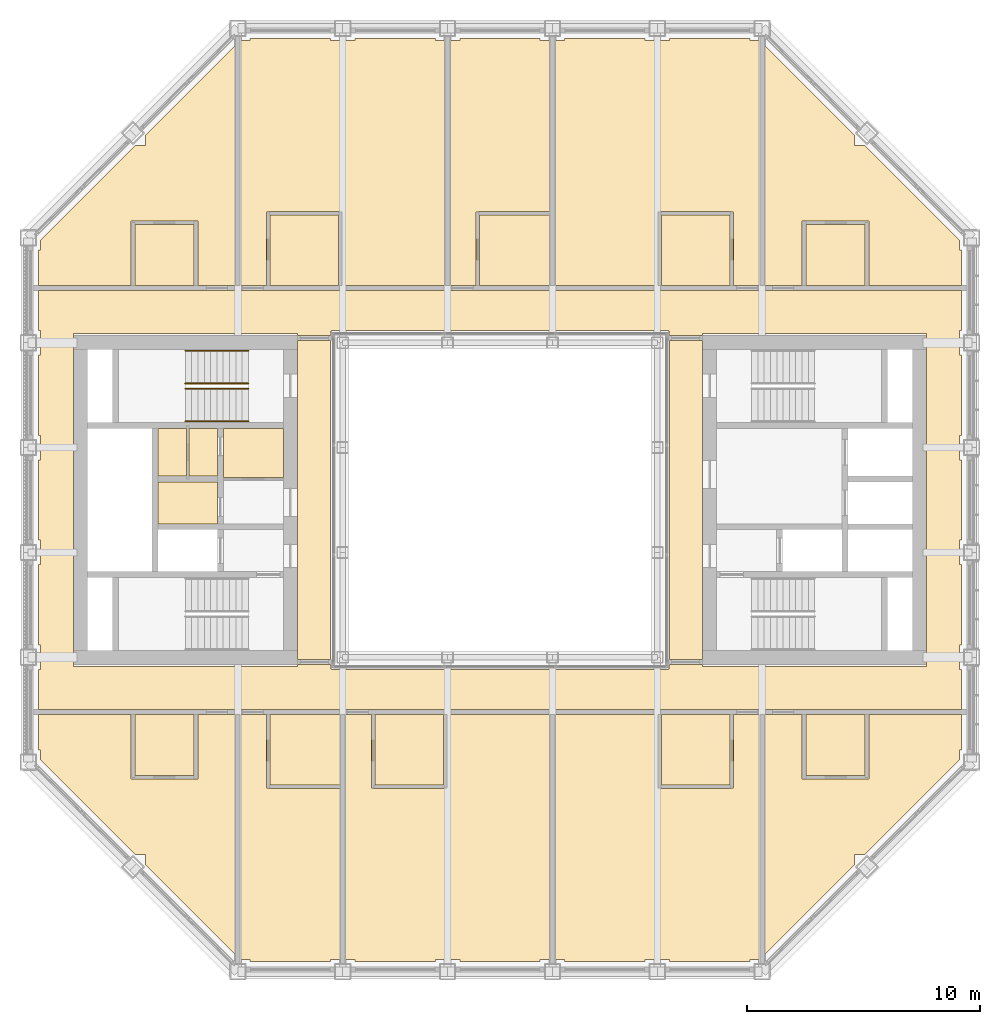
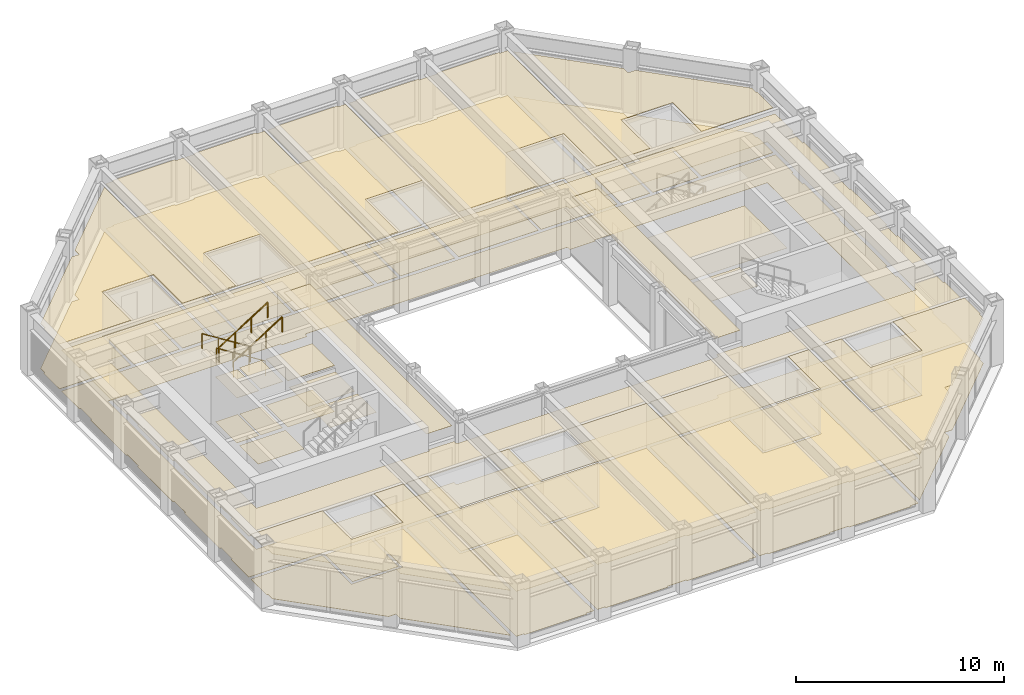
# One storey, part 15 of 16: 8 coverings, 4 railings.
"""IFC4 building model written with IfcOpenShell, lengths in metres."""

from ifc_helpers import new_model, si_unit, direction, frame, origin, origin_2d, place, context, subcontext, project, spatial, line, indexed_curve, circle, outline, extrude, material, layer, layer_set, type_object, element, save


model = new_model("IFC4")

# Units and contexts
model_context = context("Model", 3, precision=1e-05, world=origin(), true_north=direction((0.0, 1.0)))
body_context = subcontext(model_context, "Body", "Model", "MODEL_VIEW")
ifc_project = project(units=[si_unit("LENGTHUNIT", "METRE"), si_unit("AREAUNIT", "SQUARE_METRE"), si_unit("VOLUMEUNIT", "CUBIC_METRE"), si_unit("PLANEANGLEUNIT", "RADIAN"), si_unit("MASSUNIT", "GRAM", prefix="KILO")], contexts=[model_context])

# Site, building, storey
site_placement = place(None, origin())
site = spatial("IfcSite", under=ifc_project, at=site_placement, CompositionType="ELEMENT")
building_placement = place(site_placement, origin())
building = spatial("IfcBuilding", under=site, at=building_placement, Name="Msasa Ring Tower", CompositionType="ELEMENT")
storey_placement = place(building_placement, frame((0.0, 0.0, 215.800048828125)))
storey = spatial("IfcBuildingStorey", under=building, at=storey_placement, Name="L56", CompositionType="ELEMENT", Elevation=215.800048828125)

# Coverings
ifc_material_1 = material(Name="Gypsum plasterboard on a steel suspension grid", Category="steel")
ifc_layer_1 = layer(ifc_material_1, 0.014892578125)
ifc_layer_set_1 = layer_set([ifc_layer_1], Name="C1 SUSPENDED PLASTERBOARD CEILING 15")
covering_type_1 = type_object("IfcCoveringType", Name="C1 SUSPENDED PLASTERBOARD CEILING 15", PredefinedType="CEILING", material=ifc_layer_set_1)
covering_1_placement = place(storey_placement, frame((0.0, 0.0, 2.39990234375)))
element("IfcCovering", 1, at=covering_1_placement, inside=storey, type_object=covering_type_1, Name="Suspended Plasterboard Ceiling 15 circulation L56", PredefinedType="CEILING", context=body_context, shape_type="SweptSolid", body=[
    extrude(outline(indexed_curve([(19.799560546875, 7.275390625), (19.724609375, 7.275390625), (19.724609375, 6.224609375), (19.799560546875, 6.224609375), (19.799560546875, 2.775390625), (19.724609375, 2.775390625), (19.724609375, 1.724609375), (19.799560546875, 1.724609375), (19.799560546875, -1.724609375), (19.724609375, -1.724609375), (19.724609375, -2.775390625), (19.799560546875, -2.775390625), (19.799560546875, -6.224609375), (19.724609375, -6.224609375), (19.724609375, -7.275390625), (19.799560546875, -7.275390625), (19.799560546875, -8.99951171875), (-19.799560546875, -8.99951171875), (-19.799560546875, -7.275390625), (-19.724609375, -7.275390625), (-19.724609375, -6.224609375), (-19.799560546875, -6.224609375), (-19.799560546875, -2.775390625), (-19.724609375, -2.775390625), (-19.724609375, -1.724609375), (-19.799560546875, -1.724609375), (-19.799560546875, 1.724609375), (-19.724609375, 1.724609375), (-19.724609375, 2.775390625), (-19.799560546875, 2.775390625), (-19.799560546875, 6.224609375), (-19.724609375, 6.224609375), (-19.724609375, 7.275390625), (-19.799560546875, 7.275390625), (-19.799560546875, 8.99951171875), (19.799560546875, 8.99951171875)], segments=[line(1, 2, 3, 4, 5, 6, 7, 8, 9, 10, 11, 12, 13, 14, 15, 16, 17, 18, 19, 20, 21, 22, 23, 24, 25, 26, 27, 28, 29, 30, 31, 32, 33, 34, 35, 36, 1)], self_intersect=False), holes=[indexed_curve([(8.699462890625, -7.150390625), (18.300537109375, -7.150390625), (18.300537109375, 7.150390625), (8.699462890625, 7.150390625), (8.699462890625, 7.050537109375), (7.280029296875, 7.050537109375), (7.280517578125, 7.23046875), (7.22998046875, 7.23046875), (7.22998046875, 7.280029296875), (-7.22998046875, 7.280029296875), (-7.22998046875, 7.23046875), (-7.280517578125, 7.23046875), (-7.280029296875, 7.050537109375), (-8.699462890625, 7.050537109375), (-8.699462890625, 7.150390625), (-18.300537109375, 7.150390625), (-18.300537109375, -7.150390625), (-8.699462890625, -7.150390625), (-8.699462890625, -7.050537109375), (-7.280029296875, -7.050537109375), (-7.280517578125, -7.23046875), (-7.22998046875, -7.23046875), (-7.22998046875, -7.280029296875), (7.22998046875, -7.280029296875), (7.22998046875, -7.23046875), (7.280517578125, -7.23046875), (7.280029296875, -7.050537109375), (8.699462890625, -7.050537109375)], segments=[line(1, 2, 3, 4, 5, 6, 7, 8, 9, 10, 11, 12, 13, 14, 15, 16, 17, 18, 19, 20, 21, 22, 23, 24, 25, 26, 27, 28, 1)], self_intersect=False)]), origin(), (0.0, 0.0, 1.0), 0.01513671875),
    extrude(outline(indexed_curve([(-9.300537109375, -3.074462890625), (-11.87451171875, -3.074462890625), (-11.87451171875, -1.275390625), (-9.300537109375, -1.275390625)], segments=[line(1, 2, 3, 4, 1)], self_intersect=False)), origin(), (0.0, 0.0, 1.0), 0.01513671875),
    extrude(outline(indexed_curve([(-9.300537109375, -1.0244140625), (-11.87451171875, -1.0244140625), (-11.87451171875, 0.844482421875), (-9.300537109375, 0.844482421875)], segments=[line(1, 2, 3, 4, 1)], self_intersect=False)), origin(), (0.0, 0.0, 1.0), 0.01513671875),
    extrude(outline(indexed_curve([(11.87451171875, -3.074462890625), (9.300537109375, -3.074462890625), (9.300537109375, -1.275390625), (11.87451171875, -1.275390625)], segments=[line(1, 2, 3, 4, 1)], self_intersect=False)), origin(), (0.0, 0.0, 1.0), 0.01513671875),
    extrude(outline(indexed_curve([(9.300537109375, -1.0244140625), (9.300537109375, 3.074462890625), (14.674560546875, 3.074462890625), (14.674560546875, -1.0244140625)], segments=[line(1, 2, 3, 4, 1)], self_intersect=False)), origin(), (0.0, 0.0, 1.0), 0.01513671875),
])
covering_2_placement = place(storey_placement, frame((0.0, 0.0, 3.199951171875)))
element("IfcCovering", 2, at=covering_2_placement, inside=storey, type_object=covering_type_1, Name="Suspended Plasterboard Ceiling 15 public rooms L56", PredefinedType="CEILING", context=body_context, shape_type="SweptSolid", body=[
    extrude(outline(indexed_curve([(-7.280029296875, 6.849609375), (-7.280029296875, -6.849609375), (-8.699462890625, -6.849609375), (-8.699462890625, 6.849609375)], segments=[line(1, 2, 3, 4, 1)], self_intersect=False)), origin(), (0.0, 0.0, 1.0), 0.014892578125),
    extrude(outline(indexed_curve([(8.699462890625, 6.849609375), (8.699462890625, -6.849609375), (7.280029296875, -6.849609375), (7.280029296875, 6.849609375)], segments=[line(1, 2, 3, 4, 1)], self_intersect=False)), origin(), (0.0, 0.0, 1.0), 0.014892578125),
])
covering_3_placement = place(storey_placement, frame((0.0, 0.0, 2.634033203125)))
element("IfcCovering", 3, at=covering_3_placement, inside=storey, type_object=covering_type_1, Name="Suspended Plasterboard Ceiling 15 L56", PredefinedType="CEILING", context=body_context, shape_type="SweptSolid", body=[
    extrude(outline(indexed_curve([(-15.83056640625, -11.98046875), (-12.969482421875, -11.98046875), (-12.969482421875, -9.200439453125), (-11.3505859375, -9.200439453125), (-11.3505859375, -19.512451171875), (-15.224609375, -15.638427734375), (-15.224609375, -15.224609375), (-15.638427734375, -15.224609375), (-19.724609375, -11.138427734375), (-19.724609375, -10.724609375), (-19.799560546875, -10.724609375), (-19.799560546875, -9.200439453125), (-15.83056640625, -9.200439453125)], segments=[line(1, 2, 3, 4, 5, 6, 7, 8, 9, 10, 11, 12, 13, 1)], self_intersect=False)), origin(), (0.0, 0.0, 1.0), 0.014892578125),
    extrude(outline(indexed_curve([(-19.799560546875, 9.200439453125), (-19.799560546875, 10.724609375), (-19.724609375, 10.724609375), (-19.724609375, 11.138427734375), (-15.638427734375, 15.224609375), (-15.224609375, 15.224609375), (-15.224609375, 15.638427734375), (-11.3505859375, 19.512451171875), (-11.3505859375, 9.200439453125), (-12.969482421875, 9.200439453125), (-12.969482421875, 11.98046875), (-15.83056640625, 11.98046875), (-15.83056640625, 9.200439453125)], segments=[line(1, 2, 3, 4, 5, 6, 7, 8, 9, 10, 11, 12, 13, 1)], self_intersect=False)), origin(), (0.0, 0.0, 1.0), 0.014892578125),
    extrude(outline(indexed_curve([(-14.674560546875, 3.074462890625), (-13.45556640625, 3.074462890625), (-13.45556640625, 1.025390625), (-14.674560546875, 1.025390625)], segments=[line(1, 2, 3, 4, 1)], self_intersect=False)), origin(), (0.0, 0.0, 1.0), 0.014892578125),
    extrude(outline(indexed_curve([(-6.8505859375, -19.724609375), (-7.275390625, -19.724609375), (-7.275390625, -19.799560546875), (-10.724609375, -19.799560546875), (-10.724609375, -19.724609375), (-11.138427734375, -19.724609375), (-11.1494140625, -19.71337890625), (-11.1494140625, -9.200439453125), (-10.00048828125, -9.200439453125), (-10.00048828125, -12.3505859375), (-6.8505859375, -12.3505859375)], segments=[line(1, 2, 3, 4, 5, 6, 7, 8, 9, 10, 11, 1)], self_intersect=False)), origin(), (0.0, 0.0, 1.0), 0.014892578125),
    extrude(outline(indexed_curve([(-6.799560546875, 9.200439453125), (-6.799560546875, 12.3505859375), (-10.00048828125, 12.3505859375), (-10.00048828125, 9.200439453125), (-11.1494140625, 9.200439453125), (-11.1494140625, 19.71337890625), (-11.138427734375, 19.724609375), (-10.724609375, 19.724609375), (-10.724609375, 19.799560546875), (-7.275390625, 19.799560546875), (-7.275390625, 19.724609375), (-6.224609375, 19.724609375), (-6.224609375, 19.799560546875), (-2.775390625, 19.799560546875), (-2.775390625, 19.724609375), (-2.3505859375, 19.724609375), (-2.3505859375, 9.200439453125)], segments=[line(1, 2, 3, 4, 5, 6, 7, 8, 9, 10, 11, 12, 13, 14, 15, 16, 17, 1)], self_intersect=False)), origin(), (0.0, 0.0, 1.0), 0.014892578125),
    extrude(outline(indexed_curve([(-5.50048828125, -12.3505859375), (-2.299560546875, -12.3505859375), (-2.299560546875, -9.200439453125), (2.1494140625, -9.200439453125), (2.1494140625, -19.724609375), (1.724609375, -19.724609375), (1.724609375, -19.799560546875), (-1.724609375, -19.799560546875), (-1.724609375, -19.724609375), (-2.775390625, -19.724609375), (-2.775390625, -19.799560546875), (-6.224609375, -19.799560546875), (-6.224609375, -19.724609375), (-6.6494140625, -19.724609375), (-6.6494140625, -9.200439453125), (-5.50048828125, -9.200439453125)], segments=[line(1, 2, 3, 4, 5, 6, 7, 8, 9, 10, 11, 12, 13, 14, 15, 16, 1)], self_intersect=False)), origin(), (0.0, 0.0, 1.0), 0.014892578125),
    extrude(outline(indexed_curve([(-2.1494140625, 9.200439453125), (-2.1494140625, 19.724609375), (-1.724609375, 19.724609375), (-1.724609375, 19.799560546875), (1.724609375, 19.799560546875), (1.724609375, 19.724609375), (2.1494140625, 19.724609375), (2.1494140625, 12.3505859375), (-1.00048828125, 12.3505859375), (-1.00048828125, 9.200439453125)], segments=[line(1, 2, 3, 4, 5, 6, 7, 8, 9, 10, 1)], self_intersect=False)), origin(), (0.0, 0.0, 1.0), 0.014892578125),
    extrude(outline(indexed_curve([(6.799560546875, -12.3505859375), (10.00048828125, -12.3505859375), (10.00048828125, -9.200439453125), (11.1494140625, -9.200439453125), (11.1494140625, -19.71337890625), (11.138427734375, -19.724609375), (10.724609375, -19.724609375), (10.724609375, -19.799560546875), (7.275390625, -19.799560546875), (7.275390625, -19.724609375), (6.224609375, -19.724609375), (6.224609375, -19.799560546875), (2.775390625, -19.799560546875), (2.775390625, -19.724609375), (2.3505859375, -19.724609375), (2.3505859375, -9.200439453125), (6.799560546875, -9.200439453125)], segments=[line(1, 2, 3, 4, 5, 6, 7, 8, 9, 10, 11, 12, 13, 14, 15, 16, 17, 1)], self_intersect=False)), origin(), (0.0, 0.0, 1.0), 0.014892578125),
    extrude(outline(indexed_curve([(10.00048828125, 12.3505859375), (6.799560546875, 12.3505859375), (6.799560546875, 9.200439453125), (2.3505859375, 9.200439453125), (2.3505859375, 19.724609375), (2.775390625, 19.724609375), (2.775390625, 19.799560546875), (6.224609375, 19.799560546875), (6.224609375, 19.724609375), (7.275390625, 19.724609375), (7.275390625, 19.799560546875), (10.724609375, 19.799560546875), (10.724609375, 19.724609375), (11.138427734375, 19.724609375), (11.1494140625, 19.71337890625), (11.1494140625, 9.200439453125), (10.00048828125, 9.200439453125)], segments=[line(1, 2, 3, 4, 5, 6, 7, 8, 9, 10, 11, 12, 13, 14, 15, 16, 17, 1)], self_intersect=False)), origin(), (0.0, 0.0, 1.0), 0.014892578125),
    extrude(outline(indexed_curve([(19.799560546875, -9.200439453125), (19.799560546875, -10.724609375), (19.724609375, -10.724609375), (19.724609375, -11.138427734375), (15.638427734375, -15.224609375), (15.224609375, -15.224609375), (15.224609375, -15.638427734375), (11.3505859375, -19.512451171875), (11.3505859375, -9.200439453125), (12.969482421875, -9.200439453125), (12.969482421875, -11.98046875), (15.83056640625, -11.98046875), (15.83056640625, -9.200439453125)], segments=[line(1, 2, 3, 4, 5, 6, 7, 8, 9, 10, 11, 12, 13, 1)], self_intersect=False)), origin(), (0.0, 0.0, 1.0), 0.014892578125),
    extrude(outline(indexed_curve([(15.83056640625, 11.98046875), (12.969482421875, 11.98046875), (12.969482421875, 9.200439453125), (11.3505859375, 9.200439453125), (11.3505859375, 19.512451171875), (15.224609375, 15.638427734375), (15.224609375, 15.224609375), (15.638427734375, 15.224609375), (19.724609375, 11.138427734375), (19.724609375, 10.724609375), (19.799560546875, 10.724609375), (19.799560546875, 9.200439453125), (15.83056640625, 9.200439453125)], segments=[line(1, 2, 3, 4, 5, 6, 7, 8, 9, 10, 11, 12, 13, 1)], self_intersect=False)), origin(), (0.0, 0.0, 1.0), 0.014892578125),
])
ifc_material_2 = material(Name="Mineral fibre ceiling tiles on an exposed steel grid", Category="steel")
ifc_layer_2 = layer(ifc_material_2, 0.02001953125)
ifc_layer_set_2 = layer_set([ifc_layer_2], Name="C3 ACOUSTIC MINERAL FIBRE TILE CEILING 20")
covering_type_2 = type_object("IfcCoveringType", Name="C3 ACOUSTIC MINERAL FIBRE TILE CEILING 20", PredefinedType="CEILING", material=ifc_layer_set_2)
covering_4_placement = place(storey_placement, frame((0.0, 0.0, 2.699951171875)))
element("IfcCovering", 4, at=covering_4_placement, inside=storey, type_object=covering_type_2, Name="Acoustic Mineral Fibre Tile Ceiling 20 L56", PredefinedType="CEILING", context=body_context, shape_type="SweptSolid", body=[
    extrude(outline(indexed_curve([(-12.12548828125, 3.074462890625), (-12.12548828125, 1.025390625), (-13.344482421875, 1.025390625), (-13.344482421875, 3.074462890625)], segments=[line(1, 2, 3, 4, 1)], self_intersect=False)), origin(), (0.0, 0.0, 1.0), 0.02001953125),
    extrude(outline(indexed_curve([(-9.300537109375, 3.074462890625), (-9.300537109375, 0.95556640625), (-11.87451171875, 0.95556640625), (-11.87451171875, 3.074462890625)], segments=[line(1, 2, 3, 4, 1)], self_intersect=False)), origin(), (0.0, 0.0, 1.0), 0.02001953125),
])
ifc_material_3 = material(Name="Wool-blend carpet on felt underlay", Category="textile")
ifc_layer_3 = layer(ifc_material_3, 0.011962890625)
ifc_layer_set_3 = layer_set([ifc_layer_3], Name="F2 CARPET ON UNDERLAY 12")
covering_type_3 = type_object("IfcCoveringType", Name="F2 CARPET ON UNDERLAY 12", PredefinedType="FLOORING", material=ifc_layer_set_3)
covering_5_placement = place(storey_placement, origin())
element("IfcCovering", 5, at=covering_5_placement, inside=storey, type_object=covering_type_3, Name="Carpet On Underlay 12 L56", PredefinedType="FLOORING", context=body_context, shape_type="SweptSolid", body=[
    extrude(outline(indexed_curve([(19.799560546875, 7.275390625), (19.724609375, 7.275390625), (19.724609375, 6.224609375), (19.799560546875, 6.224609375), (19.799560546875, 2.775390625), (19.724609375, 2.775390625), (19.724609375, 1.724609375), (19.799560546875, 1.724609375), (19.799560546875, -1.724609375), (19.724609375, -1.724609375), (19.724609375, -2.775390625), (19.799560546875, -2.775390625), (19.799560546875, -6.224609375), (19.724609375, -6.224609375), (19.724609375, -7.275390625), (19.799560546875, -7.275390625), (19.799560546875, -8.99951171875), (-19.799560546875, -8.99951171875), (-19.799560546875, -7.275390625), (-19.724609375, -7.275390625), (-19.724609375, -6.224609375), (-19.799560546875, -6.224609375), (-19.799560546875, -2.775390625), (-19.724609375, -2.775390625), (-19.724609375, -1.724609375), (-19.799560546875, -1.724609375), (-19.799560546875, 1.724609375), (-19.724609375, 1.724609375), (-19.724609375, 2.775390625), (-19.799560546875, 2.775390625), (-19.799560546875, 6.224609375), (-19.724609375, 6.224609375), (-19.724609375, 7.275390625), (-19.799560546875, 7.275390625), (-19.799560546875, 8.99951171875), (19.799560546875, 8.99951171875)], segments=[line(1, 2, 3, 4, 5, 6, 7, 8, 9, 10, 11, 12, 13, 14, 15, 16, 17, 18, 19, 20, 21, 22, 23, 24, 25, 26, 27, 28, 29, 30, 31, 32, 33, 34, 35, 36, 1)], self_intersect=False), holes=[indexed_curve([(8.699462890625, -7.150390625), (18.300537109375, -7.150390625), (18.300537109375, 7.150390625), (8.699462890625, 7.150390625), (8.699462890625, 7.050537109375), (7.280029296875, 7.050537109375), (7.280517578125, 7.23046875), (7.22998046875, 7.23046875), (7.22998046875, 7.280029296875), (-7.22998046875, 7.280029296875), (-7.22998046875, 7.23046875), (-7.280517578125, 7.23046875), (-7.280029296875, 7.050537109375), (-8.699462890625, 7.050537109375), (-8.699462890625, 7.150390625), (-18.300537109375, 7.150390625), (-18.300537109375, -7.150390625), (-8.699462890625, -7.150390625), (-8.699462890625, -7.050537109375), (-7.280029296875, -7.050537109375), (-7.280517578125, -7.23046875), (-7.22998046875, -7.23046875), (-7.22998046875, -7.280029296875), (7.22998046875, -7.280029296875), (7.22998046875, -7.23046875), (7.280517578125, -7.23046875), (7.280029296875, -7.050537109375), (8.699462890625, -7.050537109375)], segments=[line(1, 2, 3, 4, 5, 6, 7, 8, 9, 10, 11, 12, 13, 14, 15, 16, 17, 18, 19, 20, 21, 22, 23, 24, 25, 26, 27, 28, 1)], self_intersect=False)]), origin(), (0.0, 0.0, 1.0), 0.011962890625),
    extrude(outline(indexed_curve([(-14.674560546875, 3.074462890625), (-13.45556640625, 3.074462890625), (-13.45556640625, 1.025390625), (-14.674560546875, 1.025390625)], segments=[line(1, 2, 3, 4, 1)], self_intersect=False)), origin(), (0.0, 0.0, 1.0), 0.011962890625),
    extrude(outline(indexed_curve([(-10.724609375, -19.799560546875), (-10.724609375, -19.724609375), (-11.138427734375, -19.724609375), (-11.1494140625, -19.71337890625), (-11.1494140625, -9.200439453125), (-10.025390625, -9.200439453125), (-10.025390625, -12.35009765625), (-9.89990234375, -12.3505859375), (-9.89990234375, -12.37548828125), (-6.8505859375, -12.37548828125), (-6.8505859375, -19.724609375), (-7.275390625, -19.724609375), (-7.275390625, -19.799560546875)], segments=[line(1, 2, 3, 4, 5, 6, 7, 8, 9, 10, 11, 12, 13, 1)], self_intersect=False)), origin(), (0.0, 0.0, 1.0), 0.011962890625),
    extrude(outline(indexed_curve([(-0.89990234375, 12.3505859375), (-1.025390625, 12.35009765625), (-1.025390625, 9.200439453125), (-2.1494140625, 9.200439453125), (-2.1494140625, 19.724609375), (-1.724609375, 19.724609375), (-1.724609375, 19.799560546875), (1.724609375, 19.799560546875), (1.724609375, 19.724609375), (2.1494140625, 19.724609375), (2.1494140625, 12.37548828125), (-0.89990234375, 12.37548828125)], segments=[line(1, 2, 3, 4, 5, 6, 7, 8, 9, 10, 11, 12, 1)], self_intersect=False)), origin(), (0.0, 0.0, 1.0), 0.011962890625),
])
ifc_material_4 = material(Name="Engineered oak boards on an acoustic underlay", Category="wood")
ifc_layer_4 = layer(ifc_material_4, 0.01806640625)
ifc_layer_set_4 = layer_set([ifc_layer_4], Name="F3 ENGINEERED TIMBER ON ACOUSTIC UNDERLAY 18")
covering_type_4 = type_object("IfcCoveringType", Name="F3 ENGINEERED TIMBER ON ACOUSTIC UNDERLAY 18", PredefinedType="FLOORING", material=ifc_layer_set_4)
covering_6_placement = place(storey_placement, origin())
element("IfcCovering", 6, at=covering_6_placement, inside=storey, type_object=covering_type_4, Name="Engineered Timber On Acoustic Underlay 18 L56", PredefinedType="FLOORING", context=body_context, shape_type="SweptSolid", body=[
    extrude(outline(indexed_curve([(-12.969482421875, -11.98046875), (-12.969482421875, -9.200439453125), (-11.3505859375, -9.200439453125), (-11.3505859375, -19.512451171875), (-15.224609375, -15.638427734375), (-15.224609375, -15.224609375), (-15.638427734375, -15.224609375), (-19.724609375, -11.138427734375), (-19.724609375, -10.724609375), (-19.799560546875, -10.724609375), (-19.799560546875, -9.200439453125), (-15.83056640625, -9.200439453125), (-15.83056640625, -11.98046875)], segments=[line(1, 2, 3, 4, 5, 6, 7, 8, 9, 10, 11, 12, 13, 1)], self_intersect=False)), origin(), (0.0, 0.0, 1.0), 0.01806640625),
    extrude(outline(indexed_curve([(-19.799560546875, 9.200439453125), (-19.799560546875, 10.724609375), (-19.724609375, 10.724609375), (-19.724609375, 11.138427734375), (-15.638427734375, 15.224609375), (-15.224609375, 15.224609375), (-15.224609375, 15.638427734375), (-11.3505859375, 19.512451171875), (-11.3505859375, 9.200439453125), (-12.969482421875, 9.200439453125), (-12.969482421875, 11.98046875), (-15.83056640625, 11.98046875), (-15.83056640625, 9.200439453125)], segments=[line(1, 2, 3, 4, 5, 6, 7, 8, 9, 10, 11, 12, 13, 1)], self_intersect=False)), origin(), (0.0, 0.0, 1.0), 0.01806640625),
    extrude(outline(indexed_curve([(-6.7744140625, 12.35009765625), (-6.89990234375, 12.3505859375), (-6.89990234375, 12.37548828125), (-9.89990234375, 12.37548828125), (-9.89990234375, 12.3505859375), (-10.025390625, 12.35009765625), (-10.025390625, 9.200439453125), (-11.1494140625, 9.200439453125), (-11.1494140625, 19.71337890625), (-11.138427734375, 19.724609375), (-10.724609375, 19.724609375), (-10.724609375, 19.799560546875), (-7.275390625, 19.799560546875), (-7.275390625, 19.724609375), (-6.224609375, 19.724609375), (-6.224609375, 19.799560546875), (-2.775390625, 19.799560546875), (-2.775390625, 19.724609375), (-2.3505859375, 19.724609375), (-2.3505859375, 9.200439453125), (-6.7744140625, 9.200439453125)], segments=[line(1, 2, 3, 4, 5, 6, 7, 8, 9, 10, 11, 12, 13, 14, 15, 16, 17, 18, 19, 20, 21, 1)], self_intersect=False)), origin(), (0.0, 0.0, 1.0), 0.01806640625),
    extrude(outline(indexed_curve([(-5.39990234375, -12.3505859375), (-5.39990234375, -12.37548828125), (-2.39990234375, -12.37548828125), (-2.39990234375, -12.3505859375), (-2.2744140625, -12.35009765625), (-2.2744140625, -9.200439453125), (2.1494140625, -9.200439453125), (2.1494140625, -19.724609375), (1.724609375, -19.724609375), (1.724609375, -19.799560546875), (-1.724609375, -19.799560546875), (-1.724609375, -19.724609375), (-2.775390625, -19.724609375), (-2.775390625, -19.799560546875), (-6.224609375, -19.799560546875), (-6.224609375, -19.724609375), (-6.6494140625, -19.724609375), (-6.6494140625, -9.200439453125), (-5.525390625, -9.200439453125), (-5.525390625, -12.35009765625)], segments=[line(1, 2, 3, 4, 5, 6, 7, 8, 9, 10, 11, 12, 13, 14, 15, 16, 17, 18, 19, 20, 1)], self_intersect=False)), origin(), (0.0, 0.0, 1.0), 0.01806640625),
    extrude(outline(indexed_curve([(6.7744140625, -12.35009765625), (6.89990234375, -12.3505859375), (6.89990234375, -12.37548828125), (9.89990234375, -12.37548828125), (9.89990234375, -12.3505859375), (10.025390625, -12.35009765625), (10.025390625, -9.200439453125), (11.1494140625, -9.200439453125), (11.1494140625, -19.71337890625), (11.138427734375, -19.724609375), (10.724609375, -19.724609375), (10.724609375, -19.799560546875), (7.275390625, -19.799560546875), (7.275390625, -19.724609375), (6.224609375, -19.724609375), (6.224609375, -19.799560546875), (2.775390625, -19.799560546875), (2.775390625, -19.724609375), (2.3505859375, -19.724609375), (2.3505859375, -9.200439453125), (6.7744140625, -9.200439453125)], segments=[line(1, 2, 3, 4, 5, 6, 7, 8, 9, 10, 11, 12, 13, 14, 15, 16, 17, 18, 19, 20, 21, 1)], self_intersect=False)), origin(), (0.0, 0.0, 1.0), 0.01806640625),
    extrude(outline(indexed_curve([(10.025390625, 12.35009765625), (9.89990234375, 12.3505859375), (9.89990234375, 12.37548828125), (6.89990234375, 12.37548828125), (6.89990234375, 12.3505859375), (6.7744140625, 12.35009765625), (6.7744140625, 9.200439453125), (2.3505859375, 9.200439453125), (2.3505859375, 19.724609375), (2.775390625, 19.724609375), (2.775390625, 19.799560546875), (6.224609375, 19.799560546875), (6.224609375, 19.724609375), (7.275390625, 19.724609375), (7.275390625, 19.799560546875), (10.724609375, 19.799560546875), (10.724609375, 19.724609375), (11.138427734375, 19.724609375), (11.1494140625, 19.71337890625), (11.1494140625, 9.200439453125), (10.025390625, 9.200439453125)], segments=[line(1, 2, 3, 4, 5, 6, 7, 8, 9, 10, 11, 12, 13, 14, 15, 16, 17, 18, 19, 20, 21, 1)], self_intersect=False)), origin(), (0.0, 0.0, 1.0), 0.01806640625),
    extrude(outline(indexed_curve([(19.799560546875, -9.200439453125), (19.799560546875, -10.724609375), (19.724609375, -10.724609375), (19.724609375, -11.138427734375), (15.638427734375, -15.224609375), (15.224609375, -15.224609375), (15.224609375, -15.638427734375), (11.3505859375, -19.512451171875), (11.3505859375, -9.200439453125), (12.969482421875, -9.200439453125), (12.969482421875, -11.98046875), (15.83056640625, -11.98046875), (15.83056640625, -9.200439453125)], segments=[line(1, 2, 3, 4, 5, 6, 7, 8, 9, 10, 11, 12, 13, 1)], self_intersect=False)), origin(), (0.0, 0.0, 1.0), 0.01806640625),
    extrude(outline(indexed_curve([(12.969482421875, 11.98046875), (12.969482421875, 9.200439453125), (11.3505859375, 9.200439453125), (11.3505859375, 19.512451171875), (15.224609375, 15.638427734375), (15.224609375, 15.224609375), (15.638427734375, 15.224609375), (19.724609375, 11.138427734375), (19.724609375, 10.724609375), (19.799560546875, 10.724609375), (19.799560546875, 9.200439453125), (15.83056640625, 9.200439453125), (15.83056640625, 11.98046875)], segments=[line(1, 2, 3, 4, 5, 6, 7, 8, 9, 10, 11, 12, 13, 1)], self_intersect=False)), origin(), (0.0, 0.0, 1.0), 0.01806640625),
])
ifc_material_5 = material(Name="Porcelain floor tiles in adhesive", Category="ceramic")
ifc_layer_5 = layer(ifc_material_5, 0.010009765625)
ifc_layer_set_5 = layer_set([ifc_layer_5], Name="F4 PORCELAIN TILE ON ADHESIVE 10")
covering_type_5 = type_object("IfcCoveringType", Name="F4 PORCELAIN TILE ON ADHESIVE 10", PredefinedType="FLOORING", material=ifc_layer_set_5)
covering_7_placement = place(storey_placement, origin())
element("IfcCovering", 7, at=covering_7_placement, inside=storey, type_object=covering_type_5, Name="Porcelain Tile On Adhesive 10 L56", PredefinedType="FLOORING", context=body_context, shape_type="SweptSolid", body=[
    extrude(outline(indexed_curve([(-15.66943359375, -9.200439453125), (-13.130615234375, -9.200439453125), (-13.130615234375, -11.819580078125), (-15.66943359375, -11.819580078125)], segments=[line(1, 2, 3, 4, 1)], self_intersect=False)), origin(), (0.0, 0.0, 1.0), 0.010009765625),
    extrude(outline(indexed_curve([(-13.130615234375, 11.819580078125), (-13.130615234375, 9.200439453125), (-15.66943359375, 9.200439453125), (-15.66943359375, 11.819580078125)], segments=[line(1, 2, 3, 4, 1)], self_intersect=False)), origin(), (0.0, 0.0, 1.0), 0.010009765625),
    extrude(outline(indexed_curve([(-12.12548828125, -1.0244140625), (-14.674560546875, -1.0244140625), (-14.674560546875, 0.7744140625), (-12.12548828125, 0.7744140625)], segments=[line(1, 2, 3, 4, 1)], self_intersect=False)), origin(), (0.0, 0.0, 1.0), 0.010009765625),
    extrude(outline(indexed_curve([(-6.8505859375, -9.200439453125), (-6.8505859375, -12.224609375), (-9.87451171875, -12.224609375), (-9.87451171875, -9.200439453125)], segments=[line(1, 2, 3, 4, 1)], self_intersect=False)), origin(), (0.0, 0.0, 1.0), 0.010009765625),
    extrude(outline(indexed_curve([(-9.87451171875, 9.200439453125), (-9.87451171875, 12.224609375), (-6.925537109375, 12.224609375), (-6.925537109375, 9.200439453125)], segments=[line(1, 2, 3, 4, 1)], self_intersect=False)), origin(), (0.0, 0.0, 1.0), 0.010009765625),
    extrude(outline(indexed_curve([(-2.425537109375, -9.200439453125), (-2.425537109375, -12.224609375), (-5.37451171875, -12.224609375), (-5.37451171875, -9.200439453125)], segments=[line(1, 2, 3, 4, 1)], self_intersect=False)), origin(), (0.0, 0.0, 1.0), 0.010009765625),
    extrude(outline(indexed_curve([(2.1494140625, 9.200439453125), (-0.87451171875, 9.200439453125), (-0.87451171875, 12.224609375), (2.1494140625, 12.224609375)], segments=[line(1, 2, 3, 4, 1)], self_intersect=False)), origin(), (0.0, 0.0, 1.0), 0.010009765625),
    extrude(outline(indexed_curve([(9.87451171875, -9.200439453125), (9.87451171875, -12.224609375), (6.925537109375, -12.224609375), (6.925537109375, -9.200439453125)], segments=[line(1, 2, 3, 4, 1)], self_intersect=False)), origin(), (0.0, 0.0, 1.0), 0.010009765625),
    extrude(outline(indexed_curve([(6.925537109375, 9.200439453125), (6.925537109375, 12.224609375), (9.87451171875, 12.224609375), (9.87451171875, 9.200439453125)], segments=[line(1, 2, 3, 4, 1)], self_intersect=False)), origin(), (0.0, 0.0, 1.0), 0.010009765625),
    extrude(outline(indexed_curve([(15.66943359375, -9.200439453125), (15.66943359375, -11.819580078125), (13.130615234375, -11.819580078125), (13.130615234375, -9.200439453125)], segments=[line(1, 2, 3, 4, 1)], self_intersect=False)), origin(), (0.0, 0.0, 1.0), 0.010009765625),
    extrude(outline(indexed_curve([(13.130615234375, 11.819580078125), (15.66943359375, 11.819580078125), (15.66943359375, 9.200439453125), (13.130615234375, 9.200439453125)], segments=[line(1, 2, 3, 4, 1)], self_intersect=False)), origin(), (0.0, 0.0, 1.0), 0.010009765625),
])
ifc_material_6 = material(Name="Welded vinyl safety sheet flooring", Category="vinyl")
ifc_layer_6 = layer(ifc_material_6, 0.0029296875)
ifc_layer_set_6 = layer_set([ifc_layer_6], Name="F5 RESILIENT SHEET FLOORING 3")
covering_type_6 = type_object("IfcCoveringType", Name="F5 RESILIENT SHEET FLOORING 3", PredefinedType="FLOORING", material=ifc_layer_set_6)
covering_8_placement = place(storey_placement, origin())
element("IfcCovering", 8, at=covering_8_placement, inside=storey, type_object=covering_type_6, Name="Resilient Sheet Flooring 3 L56", PredefinedType="FLOORING", context=body_context, shape_type="SweptSolid", body=[
    extrude(outline(indexed_curve([(-12.12548828125, 1.025390625), (-13.344482421875, 1.025390625), (-13.344482421875, 3.074462890625), (-12.12548828125, 3.074462890625)], segments=[line(1, 2, 3, 4, 1)], self_intersect=False)), origin(), (0.0, 0.0, 1.0), 0.0029296875),
    extrude(outline(indexed_curve([(-9.300537109375, 0.95556640625), (-11.87451171875, 0.95556640625), (-11.87451171875, 3.074462890625), (-9.300537109375, 3.074462890625)], segments=[line(1, 2, 3, 4, 1)], self_intersect=False)), origin(), (0.0, 0.0, 1.0), 0.0029296875),
])

# Railings
ifc_material_7 = material(Name="Stainless steel", Category="steel")
railing_type = type_object("IfcRailingType", Name="HR1 HANDRAIL 900", PredefinedType="HANDRAIL", material=ifc_material_7)
for number, where, name in (
    (9, (-10.800048828125, 5.0, 0.17041015625), "Handrail stair SWB L56 1"),
    (10, (-10.800048828125, 6.39990234375, 0.17041015625), "Handrail stair SWB L56 2"),
):
    element("IfcRailing", number, at=place(storey_placement, frame(where)), inside=storey, type_object=railing_type, Name=name, PredefinedType="HANDRAIL", context=body_context, shape_type="SweptSolid", body=[
        extrude(circle(Radius=0.02392578125, at=origin_2d()), frame((0.0, 0.0, 0.8759765625), z_axis=(-0.845579735284, 0.0, 0.533849146555), x_axis=(0.0, -1.0, 0.0)), (0.0, 0.0, 1.0), 3.193115234375),
        extrude(circle(Radius=0.02099609375, at=origin_2d()), origin(), (0.0, 0.0, 1.0), 0.851806640625),
        extrude(circle(Radius=0.02099609375, at=origin_2d()), frame((-0.89990234375, 0.0, 0.568115234375)), (0.0, 0.0, 1.0), 0.851806640625),
        extrude(circle(Radius=0.02099609375, at=origin_2d()), frame((-1.800048828125, 0.0, 1.136474609375)), (0.0, 0.0, 1.0), 0.851806640625),
        extrude(circle(Radius=0.02099609375, at=origin_2d()), frame((-2.699951171875, 0.0, 1.70458984375)), (0.0, 0.0, 1.0), 0.851806640625),
    ])
for number, where, name in (
    (11, (-13.5, 3.375, 2.04541015625), "Handrail stair SWB L56 3"),
    (12, (-13.5, 4.77490234375, 2.04541015625), "Handrail stair SWB L56 4"),
):
    element("IfcRailing", number, at=place(storey_placement, frame(where)), inside=storey, type_object=railing_type, Name=name, PredefinedType="HANDRAIL", context=body_context, shape_type="SweptSolid", body=[
        extrude(circle(Radius=0.02392578125, at=origin_2d()), frame((0.0, 0.0, 0.8759765625), z_axis=(0.845579735284, 0.0, 0.533849146555), x_axis=(0.0, 1.0, 0.0)), (0.0, 0.0, 1.0), 3.193115234375),
        extrude(circle(Radius=0.02099609375, at=origin_2d()), origin(), (0.0, 0.0, 1.0), 0.851806640625),
        extrude(circle(Radius=0.02099609375, at=origin_2d()), frame((0.89990234375, 0.0, 0.568115234375)), (0.0, 0.0, 1.0), 0.851806640625),
        extrude(circle(Radius=0.02099609375, at=origin_2d()), frame((1.800048828125, 0.0, 1.136474609375)), (0.0, 0.0, 1.0), 0.851806640625),
        extrude(circle(Radius=0.02099609375, at=origin_2d()), frame((2.699951171875, 0.0, 1.70458984375)), (0.0, 0.0, 1.0), 0.851806640625),
    ])

save(model, "model.ifc")
